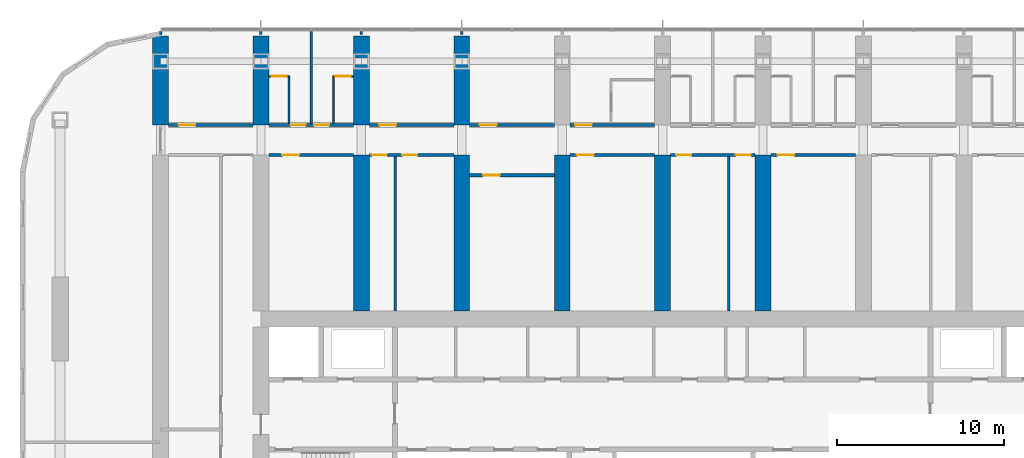
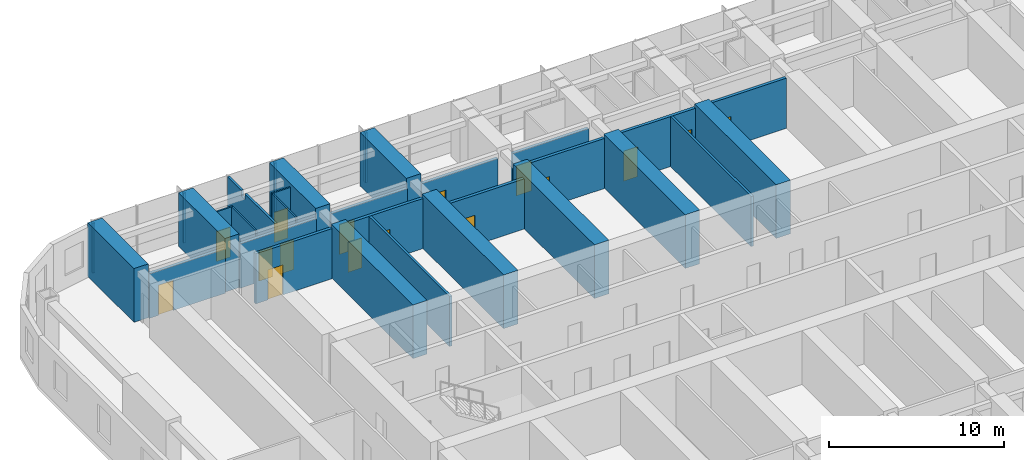
# One storey, part 13 of 21: 31 walls, 16 doors, 16 openings.
"""IFC4 building model written with IfcOpenShell, lengths in metres."""

import ifcopenshell
import ifcopenshell.guid

model = None  # the IFC model being written
_history = None  # IfcOwnerHistory: only IFC2X3 demands one
_inside = {}  # id of a spatial element -> (the spatial element, [elements in it])
_under = {}  # id of a project, library or spatial element -> (it, [spatial elements below it])
_declared = {}  # id of a project -> (the project, [libraries it declares])
_typed = {}  # id of a type object -> (the type object, [elements of that type])
_made_of = {}  # id of a material, layer set ... -> (it, [elements and type objects made of it])


def new_model(schema):
    """Start an empty IFC model of exactly this schema.

    Asked for "IFC4X3", IfcOpenShell would pick the latest addendum, in which some entities
    have other attributes; the version numbers below select the first issue.
    IFC2X3 requires an IfcOwnerHistory on every rooted entity: one is made here for all.
    """
    global model, _history
    if schema == "IFC4X3":
        model = ifcopenshell.file(schema_version=(4, 3, 0, 0))
    else:
        model = ifcopenshell.file(schema=schema)
    _inside.clear()
    _under.clear()
    _declared.clear()
    _typed.clear()
    _made_of.clear()
    _history = None
    if model.schema == "IFC2X3":
        org = make("IfcOrganization", Name="unknown")
        user = make(
            "IfcPersonAndOrganization",
            ThePerson=make("IfcPerson", FamilyName="unknown"),
            TheOrganization=org,
        )
        app = make(
            "IfcApplication",
            ApplicationDeveloper=org,
            Version="unknown",
            ApplicationFullName="unknown",
            ApplicationIdentifier="unknown",
        )
        _history = make(
            "IfcOwnerHistory",
            OwningUser=user,
            OwningApplication=app,
            ChangeAction="ADDED",
            CreationDate=0,
        )
    return model


def make(cls, **values):
    """One entity of the class cls with the attributes given. An attribute that is None is left unset."""
    return model.create_entity(
        cls, **{name: value for name, value in values.items() if value is not None}
    )


def rooted(cls, **values):
    """An entity with a GlobalId (a new one), such as an element, a storey or a relation."""
    return make(cls, GlobalId=ifcopenshell.guid.new(), OwnerHistory=_history, **values)


def si_unit(unit_type, name, prefix=None):
    """IfcSIUnit, for example si_unit("LENGTHUNIT", "METRE", prefix="MILLI")."""
    return make("IfcSIUnit", UnitType=unit_type, Prefix=prefix, Name=name)


def assignment(units):
    """IfcUnitAssignment: the units of a project."""
    return None if units is None else make("IfcUnitAssignment", Units=units)


def point(xyz):
    """IfcCartesianPoint."""
    return None if xyz is None else make("IfcCartesianPoint", Coordinates=xyz)


def direction(xyz):
    """IfcDirection."""
    return None if xyz is None else make("IfcDirection", DirectionRatios=xyz)


def frame(location, z_axis=None, x_axis=None):
    """IfcAxis2Placement3D, a coordinate frame: its origin and axes. An axis left out is left unset."""
    return make(
        "IfcAxis2Placement3D",
        Location=point(location),
        Axis=direction(z_axis),
        RefDirection=direction(x_axis),
    )


def frame_2d(location, x_axis=None):
    """IfcAxis2Placement2D, a coordinate frame in the plane: its origin and x axis."""
    return make(
        "IfcAxis2Placement2D", Location=point(location), RefDirection=direction(x_axis)
    )


def origin():
    """The frame at (0, 0, 0) with its axes left unset."""
    return frame((0.0, 0.0, 0.0))


def place(relative_to, where):
    """IfcLocalPlacement: puts the frame where relative to a parent placement (None: the world)."""
    return make(
        "IfcLocalPlacement", PlacementRelTo=relative_to, RelativePlacement=where
    )


def context(
    kind, dimensions, precision=None, world=None, true_north=None, identifier=None
):
    """IfcGeometricRepresentationContext, for example the 3D "Model" context."""
    return make(
        "IfcGeometricRepresentationContext",
        ContextIdentifier=identifier,
        ContextType=kind,
        CoordinateSpaceDimension=dimensions,
        Precision=precision,
        WorldCoordinateSystem=world,
        TrueNorth=true_north,
    )


def subcontext(parent, identifier, kind, view, scale=None):
    """IfcGeometricRepresentationSubContext, for example "Body" below "Model"."""
    return make(
        "IfcGeometricRepresentationSubContext",
        ContextIdentifier=identifier,
        ContextType=kind,
        ParentContext=parent,
        TargetScale=scale,
        TargetView=view,
    )


def project(units=None, contexts=None):
    """IfcProject with its units and contexts."""
    return rooted(
        "IfcProject",
        Name="project",
        RepresentationContexts=contexts,
        UnitsInContext=assignment(units),
    )


def spatial(cls, under=None, at=None, **own):
    """A site, building, storey or space (cls), placed at a placement, below another one or the project."""
    s = rooted(cls, ObjectPlacement=at, **own)
    if under is not None:
        _under.setdefault(under.id(), (under, []))[1].append(s)
    return s


def polyline(points):
    """IfcPolyline through the points."""
    return make("IfcPolyline", Points=[point(p) for p in points])


def profile(cls, at=None, kind="AREA", **sizes):
    """A parametric profile (cls). Its sizes go by their IFC names, for example OverallWidth=200.0."""
    return make(cls, ProfileType=kind, Position=at, **sizes)


def rectangle(**sizes):
    """IfcRectangleProfileDef."""
    return profile("IfcRectangleProfileDef", **sizes)


def outline(outer, holes=None, kind="AREA"):
    """IfcArbitraryClosedProfileDef: a profile drawn as a closed curve; with holes, ...WithVoids."""
    if holes is None:
        return make("IfcArbitraryClosedProfileDef", ProfileType=kind, OuterCurve=outer)
    return make(
        "IfcArbitraryProfileDefWithVoids",
        ProfileType=kind,
        OuterCurve=outer,
        InnerCurves=holes,
    )


def extrude(swept, where, along, depth):
    """IfcExtrudedAreaSolid: the profile swept, set in the frame where, extruded along a direction by depth."""
    return make(
        "IfcExtrudedAreaSolid",
        SweptArea=swept,
        Position=where,
        ExtrudedDirection=direction(along),
        Depth=depth,
    )


def shape(context_of_items, identifier, shape_type, items):
    """IfcShapeRepresentation: the items that make up one representation, for example the "Body"."""
    return make(
        "IfcShapeRepresentation",
        ContextOfItems=context_of_items,
        RepresentationIdentifier=identifier,
        RepresentationType=shape_type,
        Items=items,
    )


def material(Name=None, Category=None):
    """IfcMaterial."""
    return make("IfcMaterial", Name=Name, Category=Category)


def layer(
    of_material, thickness, ventilated=None, Name=None, Category=None, Priority=None
):
    """IfcMaterialLayer: one layer of a wall or slab, of a material (None: an air gap)."""
    return make(
        "IfcMaterialLayer",
        Material=of_material,
        LayerThickness=thickness,
        IsVentilated=ventilated,
        Name=Name,
        Category=Category,
        Priority=Priority,
    )


def layer_set(layers, Name=None):
    """IfcMaterialLayerSet."""
    return make("IfcMaterialLayerSet", MaterialLayers=layers, LayerSetName=Name)


def made_of(thing, what):
    """Note that an element or type object is made of a material, layer set ...; save() writes the relation."""
    if what is not None:
        _made_of.setdefault(what.id(), (what, []))[1].append(thing)
    return thing


def type_object(cls, material=None, **own):
    """A type object (cls), such as IfcWallType, which elements share."""
    return made_of(rooted(cls, **own), material)


def element(
    cls,
    number,
    at=None,
    inside=None,
    cuts=None,
    type_object=None,
    material=None,
    context=None,
    identifier="Body",
    shape_type=None,
    held_by="IfcProductDefinitionShape",
    body=None,
    shapes=None,
    **own,
):
    """One element of the class cls, such as IfcWall. Its Tag is "e" and its number.

    at: its placement. inside: the storey or other place that contains it. cuts: it is an
    opening in that element (IfcRelVoidsElement). A single representation is given by context,
    identifier, shape_type and body (its items); several are given by shapes. held_by: the class
    of the entity that holds the representations. save() writes the other relations.
    """
    e = rooted(cls, Tag="e%d" % number, ObjectPlacement=at, **own)
    if body is not None:
        shapes = [shape(context, identifier, shape_type, body)]
    if shapes is not None:
        e.Representation = make(held_by, Representations=shapes)
    if inside is not None:
        _inside.setdefault(inside.id(), (inside, []))[1].append(e)
    if cuts is not None:
        rooted(
            "IfcRelVoidsElement", RelatingBuildingElement=cuts, RelatedOpeningElement=e
        )
    if type_object is not None:
        _typed.setdefault(type_object.id(), (type_object, []))[1].append(e)
    return made_of(e, material)


def fill(opening, filler):
    """IfcRelFillsElement: the door or window that sits in an opening."""
    return rooted(
        "IfcRelFillsElement",
        RelatingOpeningElement=opening,
        RelatedBuildingElement=filler,
    )


def aggregate(whole, parts):
    """IfcRelAggregates: a whole, such as a stair, and the parts it consists of."""
    return rooted("IfcRelAggregates", RelatingObject=whole, RelatedObjects=parts)


def save(model, path):
    """Write the relations noted so far, then the file.

    IfcRelAggregates (storeys below a building ...), IfcRelContainedInSpatialStructure (elements
    in a storey), IfcRelDefinesByType, IfcRelAssociatesMaterial and IfcRelDeclares: one each for
    every whole, place, type object, material and project.
    """
    for whole, parts in _under.values():
        aggregate(whole, parts)
    for where, things in _inside.values():
        rooted(
            "IfcRelContainedInSpatialStructure",
            RelatedElements=things,
            RelatingStructure=where,
        )
    for kind, things in _typed.values():
        rooted("IfcRelDefinesByType", RelatedObjects=things, RelatingType=kind)
    for what, things in _made_of.values():
        rooted("IfcRelAssociatesMaterial", RelatedObjects=things, RelatingMaterial=what)
    for by, libraries in _declared.values():
        rooted("IfcRelDeclares", RelatingContext=by, RelatedDefinitions=libraries)
    model.write(path)


model = new_model("IFC4")

# Units and contexts
model_context = context("Model", 3, precision=1e-05, world=origin(), true_north=direction((0.0, 1.0)))
body_context = subcontext(model_context, "Body", "Model", "MODEL_VIEW")
ifc_project = project(units=[si_unit("LENGTHUNIT", "METRE"), si_unit("AREAUNIT", "SQUARE_METRE"), si_unit("VOLUMEUNIT", "CUBIC_METRE"), si_unit("PLANEANGLEUNIT", "RADIAN"), si_unit("MASSUNIT", "GRAM", prefix="KILO")], contexts=[model_context])

# Site, building, storey
site_placement = place(None, origin())
site = spatial("IfcSite", under=ifc_project, at=site_placement, CompositionType="ELEMENT")
building_placement = place(site_placement, origin())
building = spatial("IfcBuilding", under=site, at=building_placement, Name="Orbita Commons", CompositionType="ELEMENT")
storey_placement = place(building_placement, frame((0.0, 0.0, 106.89990234375)))
storey = spatial("IfcBuildingStorey", under=building, at=storey_placement, Name="L26", CompositionType="ELEMENT", Elevation=106.89990234375)

# Wall, opening, door
ifc_material_1 = material(Name="Concrete blockwork", Category="masonry")
ifc_layer_1 = layer(ifc_material_1, 0.199951171875)
ifc_layer_set_1 = layer_set([ifc_layer_1], Name="Concrete blockwork")
wall_type_1 = type_object("IfcWallType", Name="Corridor wall 200 blockwork", PredefinedType="SOLIDWALL", material=ifc_layer_set_1)
wall_1_placement = place(storey_placement, frame((12.47509765625, 49.800048828125, 0.0), z_axis=(0.0, 0.0, 1.0), x_axis=(1.0, 0.0, 0.0)))
wall_1 = element("IfcWall", 1, at=wall_1_placement, inside=storey, type_object=wall_type_1, Name="Corridor wall 200 blockwork L26", PredefinedType="SOLIDWALL", context=body_context, shape_type="SweptSolid", body=[
    extrude(outline(polyline([(0.0, 0.0), (5.0498046875, 0.0), (5.050048828125, 3.10009765625), (0.0, 3.10009765625), (0.0, 0.0)])), frame((0.0, 0.10009765625, 0.0), z_axis=(0.0, -1.0, 0.0), x_axis=(1.0, 0.0, 0.0)), (0.0, 0.0, 1.0), 0.199951171875),
])
opening_1_placement = place(wall_1_placement, frame((0.60009765625, 0.0, 0.0)))
opening_1 = element("IfcOpeningElement", 2, at=opening_1_placement, cuts=wall_1, Name="Opening D06", PredefinedType="OPENING", context=body_context, shape_type="SweptSolid", body=[
    extrude(rectangle(XDim=1.0, YDim=2.10009765625, at=frame_2d((0.5, 1.050048828125))), frame((0.0, 0.10986328125, 0.0), z_axis=(0.0, -1.0, 0.0), x_axis=(1.0, 0.0, 0.0)), (0.0, 0.0, 1.0), 0.219970703125),
])
ifc_material_2 = material(Name="Steel-faced fire door leaf", Category="steel")
door_type_1 = type_object("IfcDoorType", Name="Corridor door 20 min 1000x2100", OperationType="SINGLE_SWING_LEFT", PredefinedType="DOOR", material=ifc_material_2)
door_1_placement = place(opening_1_placement, origin())
door_1 = element("IfcDoor", 3, at=door_1_placement, inside=storey, type_object=door_type_1, Name="Sea-view lounge L26-N00 door", OperationType="SINGLE_SWING_LEFT", OverallHeight=2.10009765625, OverallWidth=1.0, PredefinedType="DOOR", context=body_context, shape_type="SweptSolid", body=[
    extrude(rectangle(XDim=1.0, YDim=2.10009765625, at=frame_2d((0.5, 1.050048828125))), frame((0.0, 0.02490234375, 0.0), z_axis=(0.0, -1.0, 0.0), x_axis=(1.0, 0.0, 0.0)), (0.0, 0.0, 1.0), 0.050048828125),
])
fill(opening_1, door_1)

# Wall, openings, doors
wall_2_placement = place(storey_placement, frame((18.47509765625, 49.800048828125, 0.0), z_axis=(0.0, 0.0, 1.0), x_axis=(1.0, 0.0, 0.0)))
wall_2 = element("IfcWall", 4, at=wall_2_placement, inside=storey, type_object=wall_type_1, Name="Corridor wall 200 blockwork L26", PredefinedType="SOLIDWALL", context=body_context, shape_type="SweptSolid", body=[
    extrude(outline(polyline([(0.0, 0.0), (5.0498046875, 0.0), (5.050048828125, 3.10009765625), (0.0, 3.10009765625), (0.0, 0.0)])), frame((0.0, 0.10009765625, 0.0), z_axis=(0.0, -1.0, 0.0), x_axis=(1.0, 0.0, 0.0)), (0.0, 0.0, 1.0), 0.199951171875),
])
opening_2_placement = place(wall_2_placement, frame((1.300048828125, 0.0, 0.0)))
opening_2 = element("IfcOpeningElement", 5, at=opening_2_placement, cuts=wall_2, Name="Opening D11", PredefinedType="OPENING", context=body_context, shape_type="SweptSolid", body=[
    extrude(rectangle(XDim=0.89990234375, YDim=2.10009765625, at=frame_2d((0.449951171875, 1.050048828125))), frame((0.0, 0.10986328125, 0.0), z_axis=(0.0, -1.0, 0.0), x_axis=(1.0, 0.0, 0.0)), (0.0, 0.0, 1.0), 0.219970703125),
])
opening_3_placement = place(wall_2_placement, frame((2.699951171875, 0.0, 0.0)))
opening_3 = element("IfcOpeningElement", 6, at=opening_3_placement, cuts=wall_2, Name="Opening D11", PredefinedType="OPENING", context=body_context, shape_type="SweptSolid", body=[
    extrude(rectangle(XDim=0.89990234375, YDim=2.10009765625, at=frame_2d((0.449951171875, 1.050048828125))), frame((0.0, 0.10986328125, 0.0), z_axis=(0.0, -1.0, 0.0), x_axis=(1.0, 0.0, 0.0)), (0.0, 0.0, 1.0), 0.219970703125),
])
ifc_material_3 = material(Name="Steel-faced fire door leaf", Category="steel")
door_type_2 = type_object("IfcDoorType", Name="Corridor door 20 min 900x2100", OperationType="SINGLE_SWING_LEFT", PredefinedType="DOOR", material=ifc_material_3)
door_2_placement = place(opening_2_placement, origin())
door_2 = element("IfcDoor", 7, at=door_2_placement, inside=storey, type_object=door_type_2, Name="Cluster bedroom L26-N02 door", OperationType="SINGLE_SWING_LEFT", OverallHeight=2.10009765625, OverallWidth=0.89990234375, PredefinedType="DOOR", context=body_context, shape_type="SweptSolid", body=[
    extrude(rectangle(XDim=0.89990234375, YDim=2.10009765625, at=frame_2d((0.449951171875, 1.050048828125))), frame((0.0, 0.02490234375, 0.0), z_axis=(0.0, -1.0, 0.0), x_axis=(1.0, 0.0, 0.0)), (0.0, 0.0, 1.0), 0.050048828125),
])
fill(opening_2, door_2)
door_3_placement = place(opening_3_placement, origin())
door_3 = element("IfcDoor", 8, at=door_3_placement, inside=storey, type_object=door_type_2, Name="Cluster bedroom L26-N03 door", OperationType="SINGLE_SWING_LEFT", OverallHeight=2.10009765625, OverallWidth=0.89990234375, PredefinedType="DOOR", context=body_context, shape_type="SweptSolid", body=[
    extrude(rectangle(XDim=0.89990234375, YDim=2.10009765625, at=frame_2d((0.449951171875, 1.050048828125))), frame((0.0, 0.02490234375, 0.0), z_axis=(0.0, -1.0, 0.0), x_axis=(1.0, 0.0, 0.0)), (0.0, 0.0, 1.0), 0.050048828125),
])
fill(opening_3, door_3)

# Wall, opening, door
wall_3_placement = place(storey_placement, frame((24.47509765625, 49.800048828125, 0.0), z_axis=(0.0, 0.0, 1.0), x_axis=(1.0, 0.0, 0.0)))
wall_3 = element("IfcWall", 9, at=wall_3_placement, inside=storey, type_object=wall_type_1, Name="Corridor wall 200 blockwork L26", PredefinedType="SOLIDWALL", context=body_context, shape_type="SweptSolid", body=[
    extrude(outline(polyline([(0.0, 0.0), (5.0498046875, 0.0), (5.050048828125, 3.10009765625), (0.0, 3.10009765625), (0.0, 0.0)])), frame((0.0, 0.10009765625, 0.0), z_axis=(0.0, -1.0, 0.0), x_axis=(1.0, 0.0, 0.0)), (0.0, 0.0, 1.0), 0.199951171875),
])
opening_4_placement = place(wall_3_placement, frame((0.60009765625, 0.0, 0.0)))
opening_4 = element("IfcOpeningElement", 10, at=opening_4_placement, cuts=wall_3, Name="Opening D06", PredefinedType="OPENING", context=body_context, shape_type="SweptSolid", body=[
    extrude(rectangle(XDim=1.0, YDim=2.10009765625, at=frame_2d((0.5, 1.050048828125))), frame((0.0, 0.10986328125, 0.0), z_axis=(0.0, -1.0, 0.0), x_axis=(1.0, 0.0, 0.0)), (0.0, 0.0, 1.0), 0.219970703125),
])
door_4_placement = place(opening_4_placement, origin())
door_4 = element("IfcDoor", 11, at=door_4_placement, inside=storey, type_object=door_type_1, Name="Sea-view lounge L26-N04 door", OperationType="SINGLE_SWING_LEFT", OverallHeight=2.10009765625, OverallWidth=1.0, PredefinedType="DOOR", context=body_context, shape_type="SweptSolid", body=[
    extrude(rectangle(XDim=1.0, YDim=2.10009765625, at=frame_2d((0.5, 1.050048828125))), frame((0.0, 0.02490234375, 0.0), z_axis=(0.0, -1.0, 0.0), x_axis=(1.0, 0.0, 0.0)), (0.0, 0.0, 1.0), 0.050048828125),
])
fill(opening_4, door_4)

wall_4_placement = place(storey_placement, frame((30.47509765625, 49.800048828125, 0.0), z_axis=(0.0, 0.0, 1.0), x_axis=(1.0, 0.0, 0.0)))
wall_4 = element("IfcWall", 12, at=wall_4_placement, inside=storey, type_object=wall_type_1, Name="Corridor wall 200 blockwork L26", PredefinedType="SOLIDWALL", context=body_context, shape_type="SweptSolid", body=[
    extrude(outline(polyline([(0.0, 0.0), (5.0498046875, 0.0), (5.050048828125, 3.10009765625), (0.0, 3.10009765625), (0.0, 0.0)])), frame((0.0, 0.10009765625, 0.0), z_axis=(0.0, -1.0, 0.0), x_axis=(1.0, 0.0, 0.0)), (0.0, 0.0, 1.0), 0.199951171875),
])
opening_5_placement = place(wall_4_placement, frame((0.60009765625, 0.0, 0.0)))
opening_5 = element("IfcOpeningElement", 13, at=opening_5_placement, cuts=wall_4, Name="Opening D06", PredefinedType="OPENING", context=body_context, shape_type="SweptSolid", body=[
    extrude(rectangle(XDim=1.0, YDim=2.10009765625, at=frame_2d((0.5, 1.050048828125))), frame((0.0, 0.10986328125, 0.0), z_axis=(0.0, -1.0, 0.0), x_axis=(1.0, 0.0, 0.0)), (0.0, 0.0, 1.0), 0.219970703125),
])
door_5_placement = place(opening_5_placement, origin())
door_5 = element("IfcDoor", 14, at=door_5_placement, inside=storey, type_object=door_type_1, Name="Sea-view lounge L26-N06 door", OperationType="SINGLE_SWING_LEFT", OverallHeight=2.10009765625, OverallWidth=1.0, PredefinedType="DOOR", context=body_context, shape_type="SweptSolid", body=[
    extrude(rectangle(XDim=1.0, YDim=2.10009765625, at=frame_2d((0.5, 1.050048828125))), frame((0.0, 0.02490234375, 0.0), z_axis=(0.0, -1.0, 0.0), x_axis=(1.0, 0.0, 0.0)), (0.0, 0.0, 1.0), 0.050048828125),
])
fill(opening_5, door_5)

wall_5_placement = place(storey_placement, frame((36.47509765625, 49.800048828125, 0.0), z_axis=(0.0, 0.0, 1.0), x_axis=(1.0, 0.0, 0.0)))
wall_5 = element("IfcWall", 15, at=wall_5_placement, inside=storey, type_object=wall_type_1, Name="Corridor wall 200 blockwork L26", PredefinedType="SOLIDWALL", context=body_context, shape_type="SweptSolid", body=[
    extrude(outline(polyline([(0.0, 0.0), (5.0498046875, 0.0), (5.050048828125, 3.10009765625), (0.0, 3.10009765625), (0.0, 0.0)])), frame((0.0, 0.10009765625, 0.0), z_axis=(0.0, -1.0, 0.0), x_axis=(1.0, 0.0, 0.0)), (0.0, 0.0, 1.0), 0.199951171875),
])
opening_6_placement = place(wall_5_placement, frame((0.300048828125, 0.0, 0.0)))
opening_6 = element("IfcOpeningElement", 16, at=opening_6_placement, cuts=wall_5, Name="Opening D06", PredefinedType="OPENING", context=body_context, shape_type="SweptSolid", body=[
    extrude(rectangle(XDim=1.0, YDim=2.10009765625, at=frame_2d((0.5, 1.050048828125))), frame((0.0, 0.10986328125, 0.0), z_axis=(0.0, -1.0, 0.0), x_axis=(1.0, 0.0, 0.0)), (0.0, 0.0, 1.0), 0.219970703125),
])
door_6_placement = place(opening_6_placement, origin())
door_6 = element("IfcDoor", 17, at=door_6_placement, inside=storey, type_object=door_type_1, Name="Accessible bedroom L26-N08 door", OperationType="SINGLE_SWING_LEFT", OverallHeight=2.10009765625, OverallWidth=1.0, PredefinedType="DOOR", context=body_context, shape_type="SweptSolid", body=[
    extrude(rectangle(XDim=1.0, YDim=2.10009765625, at=frame_2d((0.5, 1.050048828125))), frame((0.0, 0.02490234375, 0.0), z_axis=(0.0, -1.0, 0.0), x_axis=(1.0, 0.0, 0.0)), (0.0, 0.0, 1.0), 0.050048828125),
])
fill(opening_6, door_6)

ifc_material_4 = material(Name="Hollow concrete block 200", Category="concrete")
ifc_layer_2 = layer(ifc_material_4, 0.199951171875)
ifc_layer_set_2 = layer_set([ifc_layer_2], Name="Hollow concrete block 200")
wall_type_2 = type_object("IfcWallType", Name="Corridor wall 200 hollow concrete block", PredefinedType="SOLIDWALL", material=ifc_layer_set_2)
wall_6_placement = place(storey_placement, frame((18.47509765625, 48.0, 0.0), z_axis=(0.0, 0.0, 1.0), x_axis=(1.0, 0.0, 0.0)))
wall_6 = element("IfcWall", 18, at=wall_6_placement, inside=storey, type_object=wall_type_2, Name="Corridor wall 200 hollow concrete block L26", PredefinedType="SOLIDWALL", context=body_context, shape_type="SweptSolid", body=[
    extrude(rectangle(XDim=5.0498046875, YDim=0.199951171875, at=frame_2d((2.52490234375, 0.0))), origin(), (0.0, 0.0, 1.0), 3.5),
])
opening_7_placement = place(wall_6_placement, frame((0.800048828125, 0.0, 0.0)))
opening_7 = element("IfcOpeningElement", 19, at=opening_7_placement, cuts=wall_6, Name="Opening D06", PredefinedType="OPENING", context=body_context, shape_type="SweptSolid", body=[
    extrude(rectangle(XDim=1.0, YDim=2.10009765625, at=frame_2d((0.5, 1.050048828125))), frame((0.0, 0.10986328125, 0.0), z_axis=(0.0, -1.0, 0.0), x_axis=(1.0, 0.0, 0.0)), (0.0, 0.0, 1.0), 0.219970703125),
])
door_7_placement = place(opening_7_placement, origin())
door_7 = element("IfcDoor", 20, at=door_7_placement, inside=storey, type_object=door_type_1, Name="Electrical and data room L26-BDN18 door", OperationType="SINGLE_SWING_LEFT", OverallHeight=2.10009765625, OverallWidth=1.0, PredefinedType="DOOR", context=body_context, shape_type="SweptSolid", body=[
    extrude(rectangle(XDim=1.0, YDim=2.10009765625, at=frame_2d((0.5, 1.050048828125))), frame((0.0, 0.02490234375, 0.0), z_axis=(0.0, -1.0, 0.0), x_axis=(1.0, 0.0, 0.0)), (0.0, 0.0, 1.0), 0.050048828125),
])
fill(opening_7, door_7)

# Wall, openings, doors
wall_7_placement = place(storey_placement, frame((24.47509765625, 48.0, 0.0), z_axis=(0.0, 0.0, 1.0), x_axis=(1.0, 0.0, 0.0)))
wall_7 = element("IfcWall", 21, at=wall_7_placement, inside=storey, type_object=wall_type_2, Name="Corridor wall 200 hollow concrete block L26", PredefinedType="SOLIDWALL", context=body_context, shape_type="SweptSolid", body=[
    extrude(rectangle(XDim=5.0498046875, YDim=0.199951171875, at=frame_2d((2.52490234375, 0.0))), origin(), (0.0, 0.0, 1.0), 3.5),
])
opening_8_placement = place(wall_7_placement, frame((0.14990234375, 0.0, 0.0)))
opening_8 = element("IfcOpeningElement", 22, at=opening_8_placement, cuts=wall_7, Name="Opening D11", PredefinedType="OPENING", context=body_context, shape_type="SweptSolid", body=[
    extrude(rectangle(XDim=0.89990234375, YDim=2.10009765625, at=frame_2d((0.449951171875, 1.050048828125))), frame((0.0, 0.10986328125, 0.0), z_axis=(0.0, -1.0, 0.0), x_axis=(1.0, 0.0, 0.0)), (0.0, 0.0, 1.0), 0.219970703125),
])
opening_9_placement = place(wall_7_placement, frame((1.97509765625, 0.0, 0.0)))
opening_9 = element("IfcOpeningElement", 23, at=opening_9_placement, cuts=wall_7, Name="Opening D11", PredefinedType="OPENING", context=body_context, shape_type="SweptSolid", body=[
    extrude(rectangle(XDim=0.89990234375, YDim=2.10009765625, at=frame_2d((0.449951171875, 1.050048828125))), frame((0.0, 0.10986328125, 0.0), z_axis=(0.0, -1.0, 0.0), x_axis=(1.0, 0.0, 0.0)), (0.0, 0.0, 1.0), 0.219970703125),
])
door_8_placement = place(opening_8_placement, origin())
door_8 = element("IfcDoor", 24, at=door_8_placement, inside=storey, type_object=door_type_2, Name="Battery and UPS room L26-BDN24n door", OperationType="SINGLE_SWING_LEFT", OverallHeight=2.10009765625, OverallWidth=0.89990234375, PredefinedType="DOOR", context=body_context, shape_type="SweptSolid", body=[
    extrude(rectangle(XDim=0.89990234375, YDim=2.10009765625, at=frame_2d((0.449951171875, 1.050048828125))), frame((0.0, 0.02490234375, 0.0), z_axis=(0.0, -1.0, 0.0), x_axis=(1.0, 0.0, 0.0)), (0.0, 0.0, 1.0), 0.050048828125),
])
fill(opening_8, door_8)
door_9_placement = place(opening_9_placement, origin())
door_9 = element("IfcDoor", 25, at=door_9_placement, inside=storey, type_object=door_type_2, Name="Storage lockers L26-BDN24 door", OperationType="SINGLE_SWING_LEFT", OverallHeight=2.10009765625, OverallWidth=0.89990234375, PredefinedType="DOOR", context=body_context, shape_type="SweptSolid", body=[
    extrude(rectangle(XDim=0.89990234375, YDim=2.10009765625, at=frame_2d((0.449951171875, 1.050048828125))), frame((0.0, 0.02490234375, 0.0), z_axis=(0.0, -1.0, 0.0), x_axis=(1.0, 0.0, 0.0)), (0.0, 0.0, 1.0), 0.050048828125),
])
fill(opening_9, door_9)

# Wall, opening, door
wall_8_placement = place(storey_placement, frame((36.47509765625, 48.0, 0.0), z_axis=(0.0, 0.0, 1.0), x_axis=(1.0, 0.0, 0.0)))
wall_8 = element("IfcWall", 26, at=wall_8_placement, inside=storey, type_object=wall_type_2, Name="Corridor wall 200 hollow concrete block L26", PredefinedType="SOLIDWALL", context=body_context, shape_type="SweptSolid", body=[
    extrude(rectangle(XDim=5.0498046875, YDim=0.199951171875, at=frame_2d((2.52490234375, 0.0))), origin(), (0.0, 0.0, 1.0), 3.5),
])
opening_10_placement = place(wall_8_placement, frame((0.39990234375, 0.0, 0.0)))
opening_10 = element("IfcOpeningElement", 27, at=opening_10_placement, cuts=wall_8, Name="Opening D06", PredefinedType="OPENING", context=body_context, shape_type="SweptSolid", body=[
    extrude(rectangle(XDim=1.0, YDim=2.10009765625, at=frame_2d((0.5, 1.050048828125))), frame((0.0, 0.10986328125, 0.0), z_axis=(0.0, -1.0, 0.0), x_axis=(1.0, 0.0, 0.0)), (0.0, 0.0, 1.0), 0.219970703125),
])
door_10_placement = place(opening_10_placement, origin())
door_10 = element("IfcDoor", 28, at=door_10_placement, inside=storey, type_object=door_type_1, Name="Parcel and post room L26-BDN36 door", OperationType="SINGLE_SWING_LEFT", OverallHeight=2.10009765625, OverallWidth=1.0, PredefinedType="DOOR", context=body_context, shape_type="SweptSolid", body=[
    extrude(rectangle(XDim=1.0, YDim=2.10009765625, at=frame_2d((0.5, 1.050048828125))), frame((0.0, 0.02490234375, 0.0), z_axis=(0.0, -1.0, 0.0), x_axis=(1.0, 0.0, 0.0)), (0.0, 0.0, 1.0), 0.050048828125),
])
fill(opening_10, door_10)

# Wall, openings, doors
wall_9_placement = place(storey_placement, frame((42.47509765625, 48.0, 0.0), z_axis=(0.0, 0.0, 1.0), x_axis=(1.0, 0.0, 0.0)))
wall_9 = element("IfcWall", 29, at=wall_9_placement, inside=storey, type_object=wall_type_2, Name="Corridor wall 200 hollow concrete block L26", PredefinedType="SOLIDWALL", context=body_context, shape_type="SweptSolid", body=[
    extrude(rectangle(XDim=5.0498046875, YDim=0.199951171875, at=frame_2d((2.52490234375, 0.0))), origin(), (0.0, 0.0, 1.0), 3.5),
])
opening_11_placement = place(wall_9_placement, frame((0.35009765625, 0.0, 0.0)))
opening_11 = element("IfcOpeningElement", 30, at=opening_11_placement, cuts=wall_9, Name="Opening D11", PredefinedType="OPENING", context=body_context, shape_type="SweptSolid", body=[
    extrude(rectangle(XDim=0.89990234375, YDim=2.10009765625, at=frame_2d((0.449951171875, 1.050048828125))), frame((0.0, 0.10986328125, 0.0), z_axis=(0.0, -1.0, 0.0), x_axis=(1.0, 0.0, 0.0)), (0.0, 0.0, 1.0), 0.219970703125),
])
opening_12_placement = place(wall_9_placement, frame((3.905029296875, 0.0, 0.0)))
opening_12 = element("IfcOpeningElement", 31, at=opening_12_placement, cuts=wall_9, Name="Opening D11", PredefinedType="OPENING", context=body_context, shape_type="SweptSolid", body=[
    extrude(rectangle(XDim=0.89990234375, YDim=2.10009765625, at=frame_2d((0.449951171875, 1.050048828125))), frame((0.0, 0.10986328125, 0.0), z_axis=(0.0, -1.0, 0.0), x_axis=(1.0, 0.0, 0.0)), (0.0, 0.0, 1.0), 0.219970703125),
])
door_11_placement = place(opening_11_placement, origin())
door_11 = element("IfcDoor", 32, at=door_11_placement, inside=storey, type_object=door_type_2, Name="Ventilation plant room south L26-BDN42 door", OperationType="SINGLE_SWING_LEFT", OverallHeight=2.10009765625, OverallWidth=0.89990234375, PredefinedType="DOOR", context=body_context, shape_type="SweptSolid", body=[
    extrude(rectangle(XDim=0.89990234375, YDim=2.10009765625, at=frame_2d((0.449951171875, 1.050048828125))), frame((0.0, 0.02490234375, 0.0), z_axis=(0.0, -1.0, 0.0), x_axis=(1.0, 0.0, 0.0)), (0.0, 0.0, 1.0), 0.050048828125),
])
fill(opening_11, door_11)
door_12_placement = place(opening_12_placement, origin())
door_12 = element("IfcDoor", 33, at=door_12_placement, inside=storey, type_object=door_type_2, Name="Sprinkler valve room L26-BDN42n door", OperationType="SINGLE_SWING_LEFT", OverallHeight=2.10009765625, OverallWidth=0.89990234375, PredefinedType="DOOR", context=body_context, shape_type="SweptSolid", body=[
    extrude(rectangle(XDim=0.89990234375, YDim=2.10009765625, at=frame_2d((0.449951171875, 1.050048828125))), frame((0.0, 0.02490234375, 0.0), z_axis=(0.0, -1.0, 0.0), x_axis=(1.0, 0.0, 0.0)), (0.0, 0.0, 1.0), 0.050048828125),
])
fill(opening_12, door_12)

# Wall, opening, door
wall_10_placement = place(storey_placement, frame((48.47509765625, 48.0, 0.0), z_axis=(0.0, 0.0, 1.0), x_axis=(1.0, 0.0, 0.0)))
wall_10 = element("IfcWall", 34, at=wall_10_placement, inside=storey, type_object=wall_type_2, Name="Corridor wall 200 hollow concrete block L26", PredefinedType="SOLIDWALL", context=body_context, shape_type="SweptSolid", body=[
    extrude(rectangle(XDim=5.0498046875, YDim=0.199951171875, at=frame_2d((2.52490234375, 0.0))), origin(), (0.0, 0.0, 1.0), 3.5),
])
opening_13_placement = place(wall_10_placement, frame((0.39990234375, 0.0, 0.0)))
opening_13 = element("IfcOpeningElement", 35, at=opening_13_placement, cuts=wall_10, Name="Opening D06", PredefinedType="OPENING", context=body_context, shape_type="SweptSolid", body=[
    extrude(rectangle(XDim=1.0, YDim=2.10009765625, at=frame_2d((0.5, 1.050048828125))), frame((0.0, 0.10986328125, 0.0), z_axis=(0.0, -1.0, 0.0), x_axis=(1.0, 0.0, 0.0)), (0.0, 0.0, 1.0), 0.219970703125),
])
door_13_placement = place(opening_13_placement, origin())
door_13 = element("IfcDoor", 36, at=door_13_placement, inside=storey, type_object=door_type_1, Name="Linen store L26-BDN48 door", OperationType="SINGLE_SWING_LEFT", OverallHeight=2.10009765625, OverallWidth=1.0, PredefinedType="DOOR", context=body_context, shape_type="SweptSolid", body=[
    extrude(rectangle(XDim=1.0, YDim=2.10009765625, at=frame_2d((0.5, 1.050048828125))), frame((0.0, 0.02490234375, 0.0), z_axis=(0.0, -1.0, 0.0), x_axis=(1.0, 0.0, 0.0)), (0.0, 0.0, 1.0), 0.050048828125),
])
fill(opening_13, door_13)

wall_11_placement = place(storey_placement, frame((30.47509765625, 46.800048828125, 0.0), z_axis=(0.0, 0.0, 1.0), x_axis=(1.0, 0.0, 0.0)))
wall_11 = element("IfcWall", 37, at=wall_11_placement, inside=storey, type_object=wall_type_2, Name="Corridor wall 200 hollow concrete block L26", PredefinedType="SOLIDWALL", context=body_context, shape_type="SweptSolid", body=[
    extrude(rectangle(XDim=5.0498046875, YDim=0.199951171875, at=frame_2d((2.52490234375, 0.0))), origin(), (0.0, 0.0, 1.0), 3.5),
])
opening_14_placement = place(wall_11_placement, frame((0.800048828125, 0.0, 0.0)))
opening_14 = element("IfcOpeningElement", 38, at=opening_14_placement, cuts=wall_11, Name="Opening D06", PredefinedType="OPENING", context=body_context, shape_type="SweptSolid", body=[
    extrude(rectangle(XDim=1.0, YDim=2.10009765625, at=frame_2d((0.5, 1.050048828125))), frame((0.0, 0.10986328125, 0.0), z_axis=(0.0, -1.0, 0.0), x_axis=(1.0, 0.0, 0.0)), (0.0, 0.0, 1.0), 0.219970703125),
])
door_14_placement = place(opening_14_placement, origin())
door_14 = element("IfcDoor", 39, at=door_14_placement, inside=storey, type_object=door_type_1, Name="Ventilation plant room north L26-BDN30 door", OperationType="SINGLE_SWING_LEFT", OverallHeight=2.10009765625, OverallWidth=1.0, PredefinedType="DOOR", context=body_context, shape_type="SweptSolid", body=[
    extrude(rectangle(XDim=1.0, YDim=2.10009765625, at=frame_2d((0.5, 1.050048828125))), frame((0.0, 0.02490234375, 0.0), z_axis=(0.0, -1.0, 0.0), x_axis=(1.0, 0.0, 0.0)), (0.0, 0.0, 1.0), 0.050048828125),
])
fill(opening_14, door_14)

# Walls
ifc_material_5 = material(Name="Concrete C50/60", Category="concrete")
ifc_layer_3 = layer(ifc_material_5, 0.949951171875)
ifc_layer_set_3 = layer_set([ifc_layer_3], Name="Concrete C50/60")
wall_type_3 = type_object("IfcWallType", Name="Cross wall 950 C50/60", PredefinedType="SHEAR", material=ifc_layer_set_3)
for number, where, z_axis, x_axis, name in (
    (40, (12.0, 49.800048828125, 0.0), (0.0, 0.0, 1.0), (0.0, 1.0, 0.0), "Cross wall 3 north outer L26"),
    (41, (18.0, 49.800048828125, 0.0), (0.0, 0.0, 1.0), (0.0, 1.0, 0.0), "Cross wall 4 north outer L26"),
    (42, (24.0, 49.800048828125, 0.0), (0.0, 0.0, 1.0), (0.0, 1.0, 0.0), "Cross wall 5 north outer L26"),
):
    element("IfcWall", number, at=place(storey_placement, frame(where, z_axis=z_axis, x_axis=x_axis)), inside=storey, type_object=wall_type_3, Name=name, PredefinedType="SHEAR", context=body_context, shape_type="SweptSolid", body=[
        extrude(rectangle(XDim=5.300048828125, YDim=0.949951171875, at=frame_2d((2.64990234375, 0.0))), origin(), (0.0, 0.0, 1.0), 3.75),
    ])
wall_12_placement = place(storey_placement, frame((24.0, 38.675048828125, 0.0), z_axis=(0.0, 0.0, 1.0), x_axis=(0.0, 1.0, 0.0)))
element("IfcWall", 43, at=wall_12_placement, inside=storey, type_object=wall_type_3, Name="Cross wall 5 north inner L26", PredefinedType="SHEAR", context=body_context, shape_type="SweptSolid", body=[
    extrude(rectangle(XDim=9.324951171875, YDim=0.949951171875, at=frame_2d((4.66259765625, 0.0))), origin(), (0.0, 0.0, 1.0), 3.75),
])
wall_13_placement = place(storey_placement, frame((30.0, 49.800048828125, 0.0), z_axis=(0.0, 0.0, 1.0), x_axis=(0.0, 1.0, 0.0)))
element("IfcWall", 44, at=wall_13_placement, inside=storey, type_object=wall_type_3, Name="Cross wall 6 north outer L26", PredefinedType="SHEAR", context=body_context, shape_type="SweptSolid", body=[
    extrude(rectangle(XDim=5.300048828125, YDim=0.949951171875, at=frame_2d((2.64990234375, 0.0))), origin(), (0.0, 0.0, 1.0), 3.75),
])
for number, where, z_axis, x_axis, name in (
    (45, (30.0, 38.675048828125, 0.0), (0.0, 0.0, 1.0), (0.0, 1.0, 0.0), "Cross wall 6 north inner L26"),
    (46, (36.0, 38.675048828125, 0.0), (0.0, 0.0, 1.0), (0.0, 1.0, 0.0), "Cross wall 7 north inner L26"),
    (47, (42.0, 38.675048828125, 0.0), (0.0, 0.0, 1.0), (0.0, 1.0, 0.0), "Cross wall 8 north inner L26"),
    (48, (48.0, 38.675048828125, 0.0), (0.0, 0.0, 1.0), (0.0, 1.0, 0.0), "Cross wall 9 north inner L26"),
):
    element("IfcWall", number, at=place(storey_placement, frame(where, z_axis=z_axis, x_axis=x_axis)), inside=storey, type_object=wall_type_3, Name=name, PredefinedType="SHEAR", context=body_context, shape_type="SweptSolid", body=[
        extrude(rectangle(XDim=9.324951171875, YDim=0.949951171875, at=frame_2d((4.66259765625, 0.0))), origin(), (0.0, 0.0, 1.0), 3.75),
    ])

# Wall, opening, door
ifc_material_6 = material(Name="Moisture-resistant plasterboard on steel studs", Category="steel")
ifc_layer_4 = layer(ifc_material_6, 0.10009765625)
ifc_layer_set_4 = layer_set([ifc_layer_4], Name="Moisture-resistant plasterboard on steel studs")
wall_type_4 = type_object("IfcWallType", Name="En-suite partition 100", PredefinedType="PARTITIONING", material=ifc_layer_set_4)
wall_14_placement = place(storey_placement, frame((18.47509765625, 52.699951171875, 0.0), z_axis=(0.0, 0.0, 1.0), x_axis=(1.0, 0.0, 0.0)))
wall_14 = element("IfcWall", 49, at=wall_14_placement, inside=storey, type_object=wall_type_4, Name="En-suite partition 100 L26", PredefinedType="PARTITIONING", context=body_context, shape_type="SweptSolid", body=[
    extrude(rectangle(XDim=1.25, YDim=0.10009765625, at=frame_2d((0.625, 0.0))), origin(), (0.0, 0.0, 1.0), 3.5),
])
opening_15_placement = place(wall_14_placement, frame((0.175048828125, 0.0, 0.0)))
opening_15 = element("IfcOpeningElement", 50, at=opening_15_placement, cuts=wall_14, Name="Opening D09", PredefinedType="OPENING", context=body_context, shape_type="SweptSolid", body=[
    extrude(rectangle(XDim=0.89990234375, YDim=2.10009765625, at=frame_2d((0.449951171875, 1.050048828125))), frame((0.0, 0.06005859375, 0.0), z_axis=(0.0, -1.0, 0.0), x_axis=(1.0, 0.0, 0.0)), (0.0, 0.0, 1.0), 0.1201171875),
])
ifc_material_7 = material(Name="Laminated timber door leaf", Category="wood")
door_type_3 = type_object("IfcDoorType", Name="En-suite door 900x2100", OperationType="SINGLE_SWING_RIGHT", PredefinedType="DOOR", material=ifc_material_7)
door_15_placement = place(opening_15_placement, origin())
door_15 = element("IfcDoor", 51, at=door_15_placement, inside=storey, type_object=door_type_3, Name="En-suite L26-N02 door", OperationType="SINGLE_SWING_RIGHT", OverallHeight=2.10009765625, OverallWidth=0.89990234375, PredefinedType="DOOR", context=body_context, shape_type="SweptSolid", body=[
    extrude(rectangle(XDim=0.89990234375, YDim=2.10009765625, at=frame_2d((0.449951171875, 1.050048828125))), frame((0.0, 0.02490234375, 0.0), z_axis=(0.0, -1.0, 0.0), x_axis=(1.0, 0.0, 0.0)), (0.0, 0.0, 1.0), 0.050048828125),
])
fill(opening_15, door_15)

# Wall
wall_15_placement = place(storey_placement, frame((19.675048828125, 52.64990234375, 0.0), z_axis=(0.0, 0.0, 1.0), x_axis=(0.0, -1.0, 0.0)))
element("IfcWall", 52, at=wall_15_placement, inside=storey, type_object=wall_type_4, Name="En-suite partition 100 L26", PredefinedType="PARTITIONING", context=body_context, shape_type="SweptSolid", body=[
    extrude(outline(polyline([(0.0, 0.0), (2.75, 0.0), (2.75, 3.10009765625), (2.701904296875, 3.10009765625), (2.699951171875, 3.5), (0.0, 3.5), (0.0, 0.0)])), frame((0.0, 0.050048828125, 0.0), z_axis=(0.0, -1.0, 0.0), x_axis=(1.0, 0.0, 0.0)), (0.0, 0.0, 1.0), 0.10009765625),
])

# Wall, opening, door
wall_16_placement = place(storey_placement, frame((22.27490234375, 52.699951171875, 0.0), z_axis=(0.0, 0.0, 1.0), x_axis=(1.0, 0.0, 0.0)))
wall_16 = element("IfcWall", 53, at=wall_16_placement, inside=storey, type_object=wall_type_4, Name="En-suite partition 100 L26", PredefinedType="PARTITIONING", context=body_context, shape_type="SweptSolid", body=[
    extrude(rectangle(XDim=1.25, YDim=0.10009765625, at=frame_2d((0.625, 0.0))), origin(), (0.0, 0.0, 1.0), 3.5),
])
opening_16_placement = place(wall_16_placement, frame((0.175048828125, 0.0, 0.0)))
opening_16 = element("IfcOpeningElement", 54, at=opening_16_placement, cuts=wall_16, Name="Opening D09", PredefinedType="OPENING", context=body_context, shape_type="SweptSolid", body=[
    extrude(rectangle(XDim=0.89990234375, YDim=2.10009765625, at=frame_2d((0.449951171875, 1.050048828125))), frame((0.0, 0.06005859375, 0.0), z_axis=(0.0, -1.0, 0.0), x_axis=(1.0, 0.0, 0.0)), (0.0, 0.0, 1.0), 0.1201171875),
])
door_16_placement = place(opening_16_placement, origin())
door_16 = element("IfcDoor", 55, at=door_16_placement, inside=storey, type_object=door_type_3, Name="En-suite L26-N03 door", OperationType="SINGLE_SWING_RIGHT", OverallHeight=2.10009765625, OverallWidth=0.89990234375, PredefinedType="DOOR", context=body_context, shape_type="SweptSolid", body=[
    extrude(rectangle(XDim=0.89990234375, YDim=2.10009765625, at=frame_2d((0.449951171875, 1.050048828125))), frame((0.0, 0.02490234375, 0.0), z_axis=(0.0, -1.0, 0.0), x_axis=(1.0, 0.0, 0.0)), (0.0, 0.0, 1.0), 0.050048828125),
])
fill(opening_16, door_16)

# Walls
wall_17_placement = place(storey_placement, frame((22.324951171875, 52.64990234375, 0.0), z_axis=(0.0, 0.0, 1.0), x_axis=(0.0, -1.0, 0.0)))
element("IfcWall", 56, at=wall_17_placement, inside=storey, type_object=wall_type_4, Name="En-suite partition 100 L26", PredefinedType="PARTITIONING", context=body_context, shape_type="SweptSolid", body=[
    extrude(outline(polyline([(0.0, 0.0), (2.75, 0.0), (2.75, 3.10009765625), (2.701904296875, 3.10009765625), (2.699951171875, 3.5), (0.0, 3.5), (0.0, 0.0)])), frame((0.0, 0.050048828125, 0.0), z_axis=(0.0, -1.0, 0.0), x_axis=(1.0, 0.0, 0.0)), (0.0, 0.0, 1.0), 0.10009765625),
])
ifc_material_8 = material(Name="Gypsum plasterboard on steel studs", Category="steel")
ifc_layer_5 = layer(ifc_material_8, 0.14990234375)
ifc_layer_set_5 = layer_set([ifc_layer_5], Name="Gypsum plasterboard on steel studs")
wall_type_5 = type_object("IfcWallType", Name="Partition 150 plasterboard", PredefinedType="PARTITIONING", material=ifc_layer_set_5)
for number, where, z_axis, x_axis, name in (
    (57, (26.02490234375, 38.675048828125, 0.0), (0.0, 0.0, 1.0), (0.0, 1.0, 0.0), "Partition 150 plasterboard L26"),
    (58, (45.955078125, 38.675048828125, 0.0), (0.0, 0.0, 1.0), (0.0, 1.0, 0.0), "Partition 150 plasterboard L26"),
):
    element("IfcWall", number, at=place(storey_placement, frame(where, z_axis=z_axis, x_axis=x_axis)), inside=storey, type_object=wall_type_5, Name=name, PredefinedType="PARTITIONING", context=body_context, shape_type="SweptSolid", body=[
        extrude(rectangle(XDim=9.224853515625, YDim=0.14990234375, at=frame_2d((4.6123046875, 0.0))), origin(), (0.0, 0.0, 1.0), 3.5),
    ])
wall_18_placement = place(storey_placement, frame((12.0, 55.199951171875, 0.0), z_axis=(0.0, 0.0, 1.0), x_axis=(0.0, 1.0, 0.0)))
element("IfcWall", 59, at=wall_18_placement, inside=storey, type_object=wall_type_5, Name="Partition 150 plasterboard L26", PredefinedType="PARTITIONING", context=body_context, shape_type="SweptSolid", body=[
    extrude(rectangle(XDim=0.219970703125, YDim=0.14990234375, at=frame_2d((0.10986328125, 0.0))), origin(), (0.0, 0.0, 1.0), 3.5),
])
for number, where, z_axis, x_axis, name in (
    (60, (18.0, 55.199951171875, 0.0), (0.0, 0.0, 1.0), (0.0, 1.0, 0.0), "Partition 150 plasterboard L26"),
    (61, (24.0, 55.199951171875, 0.0), (0.0, 0.0, 1.0), (0.0, 1.0, 0.0), "Partition 150 plasterboard L26"),
    (62, (30.0, 55.199951171875, 0.0), (0.0, 0.0, 1.0), (0.0, 1.0, 0.0), "Partition 150 plasterboard L26"),
):
    element("IfcWall", number, at=place(storey_placement, frame(where, z_axis=z_axis, x_axis=x_axis)), inside=storey, type_object=wall_type_5, Name=name, PredefinedType="PARTITIONING", context=body_context, shape_type="SweptSolid", body=[
        extrude(rectangle(XDim=0.18994140625, YDim=0.14990234375, at=frame_2d((0.094970703125, 0.0))), origin(), (0.0, 0.0, 1.0), 3.5),
    ])
ifc_material_9 = material(Name="Gypsum plasterboard on steel studs", Category="steel")
ifc_layer_6 = layer(ifc_material_9, 0.14990234375)
ifc_layer_set_6 = layer_set([ifc_layer_6], Name="Gypsum plasterboard on steel studs")
wall_type_6 = type_object("IfcWallType", Name="Party wall 150 plasterboard", PredefinedType="PARTITIONING", material=ifc_layer_set_6)
wall_19_placement = place(storey_placement, frame((21.0, 55.389892578125, 0.0), z_axis=(0.0, 0.0, 1.0), x_axis=(0.0, -1.0, 0.0)))
element("IfcWall", 63, at=wall_19_placement, inside=storey, type_object=wall_type_6, Name="Party wall 150 plasterboard L26", PredefinedType="PARTITIONING", context=body_context, shape_type="SweptSolid", body=[
    extrude(outline(polyline([(0.0, 0.0), (5.489990234375, 0.0), (5.489990234375, 3.10009765625), (5.44189453125, 3.10009765625), (5.43994140625, 3.5), (1.991943359375, 3.5), (1.989990234375, 3.10009765625), (1.592041015625, 3.10009765625), (1.590087890625, 3.5), (0.0, 3.5), (0.0, 0.0)])), frame((0.0, 0.074951171875, 0.0), z_axis=(0.0, -1.0, 0.0), x_axis=(1.0, 0.0, 0.0)), (0.0, 0.0, 1.0), 0.14990234375),
])

save(model, "model.ifc")
